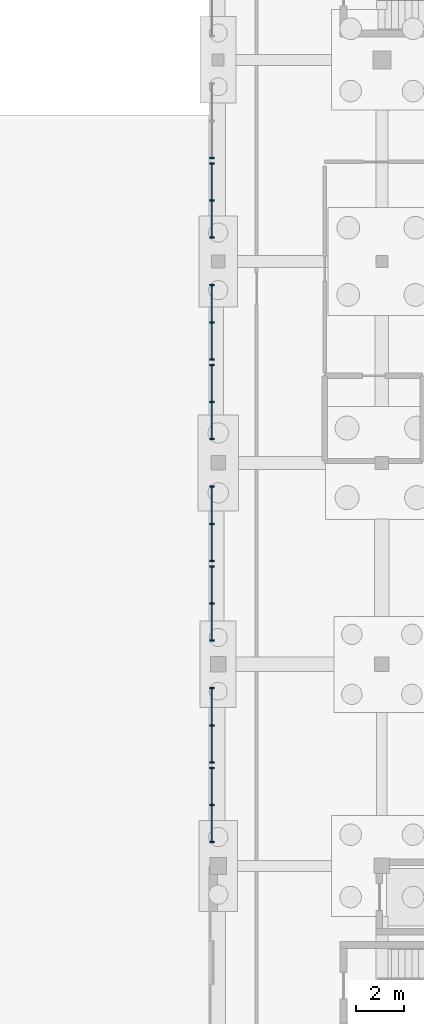
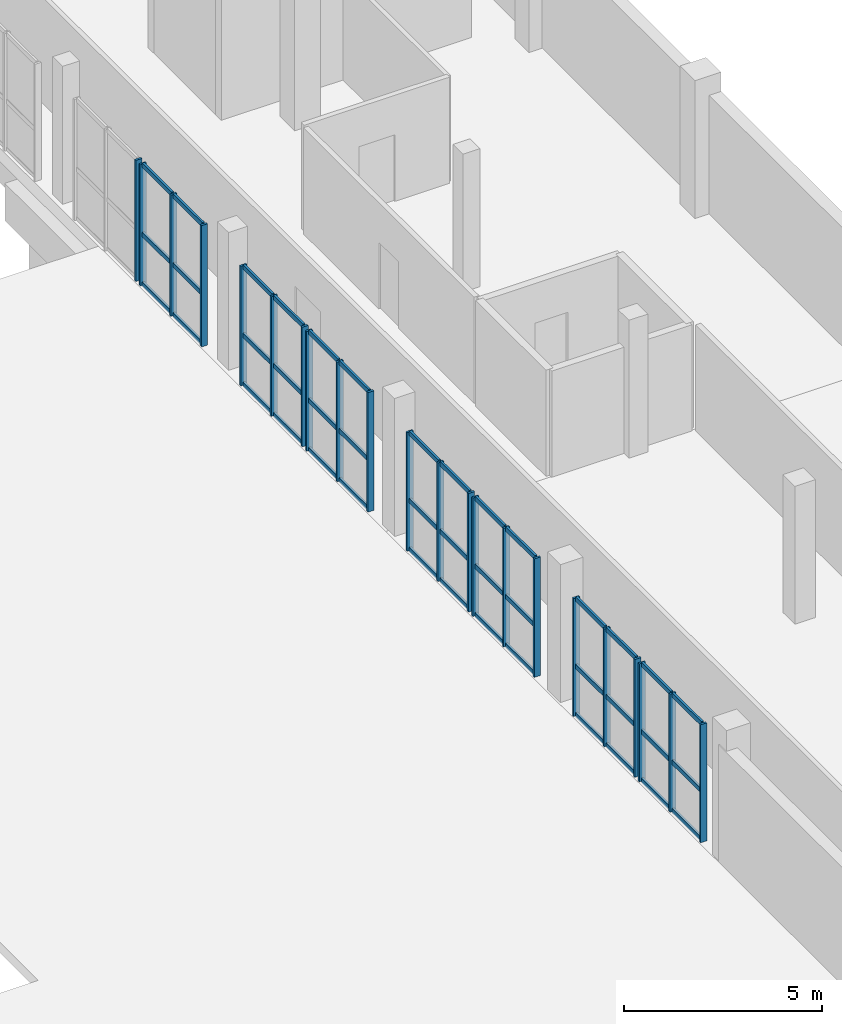
# One storey, part 18 of 41: 64 members, 8 elements without a shape of their own.
"""IFC4 building model written with IfcOpenShell, lengths in metres."""

from ifc_helpers import new_model, si_unit, direction, frame, origin, origin_2d, place, context, subcontext, project, spatial, rectangle, extrude, material, layer, layer_set, material_profile, profile_set, type_object, element, aggregate, save


model = new_model("IFC4")

# Units and contexts
model_context = context("Model", 3, precision=1e-05, world=origin(), true_north=direction((0.0, 1.0)))
body_context = subcontext(model_context, "Body", "Model", "MODEL_VIEW")
ifc_project = project(units=[si_unit("LENGTHUNIT", "METRE"), si_unit("AREAUNIT", "SQUARE_METRE"), si_unit("VOLUMEUNIT", "CUBIC_METRE"), si_unit("PLANEANGLEUNIT", "RADIAN"), si_unit("MASSUNIT", "GRAM", prefix="KILO")], contexts=[model_context])

# Site, building, storey
site_placement = place(None, origin())
site = spatial("IfcSite", under=ifc_project, at=site_placement, CompositionType="ELEMENT")
building_placement = place(site_placement, origin())
building = spatial("IfcBuilding", under=site, at=building_placement, Name="Vardoun Plaza Health Centre", CompositionType="ELEMENT")
storey_placement = place(building_placement, frame((0.0, 0.0, -4.5)))
storey = spatial("IfcBuildingStorey", under=building, at=storey_placement, Name="B1", CompositionType="ELEMENT", Elevation=-4.5)

# Curtain wall, members
ifc_material_1 = material(Name="Aluminium Alloy EN AW-6063-T6 and Low-E Glass", Category="aluminium")
ifc_layer = layer(ifc_material_1, 0.179931640625)
ifc_layer_set = layer_set([ifc_layer], Name="Aluminium Alloy EN AW-6063-T6 and Low-E Glass")
curtain_wall_type = type_object("IfcCurtainWallType", Name="CW-01", PredefinedType="USERDEFINED", material=ifc_layer_set)
curtain_wall_1_placement = place(storey_placement, origin())
curtain_wall_1 = element("IfcCurtainWall", 1, at=curtain_wall_1_placement, inside=storey, type_object=curtain_wall_type, Name="Curtain Wall CW-V6-181", ObjectType="CONCOURSE_CURTAIN_WALL", PredefinedType="USERDEFINED")
ifc_material_2 = material(Name="Aluminium Alloy EN AW-6063-T6", Category="aluminium")
ifc_material_profile_1 = material_profile(ifc_material_2, rectangle(XDim=0.179931640625, YDim=0.06494140625, at=origin_2d()), Name="CWM 65x180")
ifc_profile_set_1 = profile_set([ifc_material_profile_1], Name="Aluminium Alloy EN AW-6063-T6")
member_type_1 = type_object("IfcMemberType", Name="CW-M2", PredefinedType="MULLION", material=ifc_profile_set_1)
member_1_placement = place(storey_placement, frame((151.02001953125, 45.6923828125, 0.0), z_axis=(0.0, 0.0, 1.0), x_axis=(-1.0, 0.0, 0.0)))
member_1 = element("IfcMember", 2, at=member_1_placement, type_object=member_type_1, Name="CW-V6-181 mullion 1", PredefinedType="MULLION", context=body_context, shape_type="SweptSolid", body=[
    extrude(rectangle(XDim=0.179931640625, YDim=0.06494140625, at=origin_2d()), origin(), (0.0, 0.0, 1.0), 3.635009765625),
])
member_2_placement = place(storey_placement, frame((151.02001953125, 47.239990234375, 0.0), z_axis=(0.0, 0.0, 1.0), x_axis=(-1.0, 0.0, 0.0)))
member_2 = element("IfcMember", 3, at=member_2_placement, type_object=member_type_1, Name="CW-V6-181 mullion 2", PredefinedType="MULLION", context=body_context, shape_type="SweptSolid", body=[
    extrude(rectangle(XDim=0.179931640625, YDim=0.06494140625, at=origin_2d()), origin(), (0.0, 0.0, 1.0), 3.635009765625),
])
member_3_placement = place(storey_placement, frame((151.02001953125, 48.78759765625, 0.0), z_axis=(0.0, 0.0, 1.0), x_axis=(-1.0, 0.0, 0.0)))
member_3 = element("IfcMember", 4, at=member_3_placement, type_object=member_type_1, Name="CW-V6-181 mullion 3", PredefinedType="MULLION", context=body_context, shape_type="SweptSolid", body=[
    extrude(rectangle(XDim=0.179931640625, YDim=0.06494140625, at=origin_2d()), origin(), (0.0, 0.0, 1.0), 3.635009765625),
])

curtain_wall_2_placement = place(storey_placement, origin())
curtain_wall_2 = element("IfcCurtainWall", 5, at=curtain_wall_2_placement, inside=storey, type_object=curtain_wall_type, Name="Curtain Wall CW-V6-182", ObjectType="CONCOURSE_CURTAIN_WALL", PredefinedType="USERDEFINED")
member_4_placement = place(storey_placement, frame((151.02001953125, 49.012451171875, 0.0), z_axis=(0.0, 0.0, 1.0), x_axis=(-1.0, 0.0, 0.0)))
member_4 = element("IfcMember", 6, at=member_4_placement, type_object=member_type_1, Name="CW-V6-182 mullion 1", PredefinedType="MULLION", context=body_context, shape_type="SweptSolid", body=[
    extrude(rectangle(XDim=0.179931640625, YDim=0.06494140625, at=origin_2d()), origin(), (0.0, 0.0, 1.0), 3.635009765625),
])
member_5_placement = place(storey_placement, frame((151.02001953125, 50.56005859375, 0.0), z_axis=(0.0, 0.0, 1.0), x_axis=(-1.0, 0.0, 0.0)))
member_5 = element("IfcMember", 7, at=member_5_placement, type_object=member_type_1, Name="CW-V6-182 mullion 2", PredefinedType="MULLION", context=body_context, shape_type="SweptSolid", body=[
    extrude(rectangle(XDim=0.179931640625, YDim=0.06494140625, at=origin_2d()), origin(), (0.0, 0.0, 1.0), 3.635009765625),
])
member_6_placement = place(storey_placement, frame((151.02001953125, 52.107421875, 0.0), z_axis=(0.0, 0.0, 1.0), x_axis=(-1.0, 0.0, 0.0)))
member_6 = element("IfcMember", 8, at=member_6_placement, type_object=member_type_1, Name="CW-V6-182 mullion 3", PredefinedType="MULLION", context=body_context, shape_type="SweptSolid", body=[
    extrude(rectangle(XDim=0.179931640625, YDim=0.06494140625, at=origin_2d()), origin(), (0.0, 0.0, 1.0), 3.635009765625),
])

curtain_wall_3_placement = place(storey_placement, origin())
curtain_wall_3 = element("IfcCurtainWall", 9, at=curtain_wall_3_placement, inside=storey, type_object=curtain_wall_type, Name="Curtain Wall CW-V6-183", ObjectType="CONCOURSE_CURTAIN_WALL", PredefinedType="USERDEFINED")
member_7_placement = place(storey_placement, frame((151.02001953125, 54.092529296875, 0.0), z_axis=(0.0, 0.0, 1.0), x_axis=(-1.0, 0.0, 0.0)))
member_7 = element("IfcMember", 10, at=member_7_placement, type_object=member_type_1, Name="CW-V6-183 mullion 1", PredefinedType="MULLION", context=body_context, shape_type="SweptSolid", body=[
    extrude(rectangle(XDim=0.179931640625, YDim=0.06494140625, at=origin_2d()), origin(), (0.0, 0.0, 1.0), 3.655029296875),
])
member_8_placement = place(storey_placement, frame((151.02001953125, 55.639892578125, 0.0), z_axis=(0.0, 0.0, 1.0), x_axis=(-1.0, 0.0, 0.0)))
member_8 = element("IfcMember", 11, at=member_8_placement, type_object=member_type_1, Name="CW-V6-183 mullion 2", PredefinedType="MULLION", context=body_context, shape_type="SweptSolid", body=[
    extrude(rectangle(XDim=0.179931640625, YDim=0.06494140625, at=origin_2d()), origin(), (0.0, 0.0, 1.0), 3.655029296875),
])
member_9_placement = place(storey_placement, frame((151.02001953125, 57.1875, 0.0), z_axis=(0.0, 0.0, 1.0), x_axis=(-1.0, 0.0, 0.0)))
member_9 = element("IfcMember", 12, at=member_9_placement, type_object=member_type_1, Name="CW-V6-183 mullion 3", PredefinedType="MULLION", context=body_context, shape_type="SweptSolid", body=[
    extrude(rectangle(XDim=0.179931640625, YDim=0.06494140625, at=origin_2d()), origin(), (0.0, 0.0, 1.0), 3.655029296875),
])

curtain_wall_4_placement = place(storey_placement, origin())
curtain_wall_4 = element("IfcCurtainWall", 13, at=curtain_wall_4_placement, inside=storey, type_object=curtain_wall_type, Name="Curtain Wall CW-V6-184", ObjectType="CONCOURSE_CURTAIN_WALL", PredefinedType="USERDEFINED")
member_10_placement = place(storey_placement, frame((151.02001953125, 57.41259765625, 0.0), z_axis=(0.0, 0.0, 1.0), x_axis=(-1.0, 0.0, 0.0)))
member_10 = element("IfcMember", 14, at=member_10_placement, type_object=member_type_1, Name="CW-V6-184 mullion 1", PredefinedType="MULLION", context=body_context, shape_type="SweptSolid", body=[
    extrude(rectangle(XDim=0.179931640625, YDim=0.06494140625, at=origin_2d()), origin(), (0.0, 0.0, 1.0), 3.655029296875),
])
member_11_placement = place(storey_placement, frame((151.02001953125, 58.9599609375, 0.0), z_axis=(0.0, 0.0, 1.0), x_axis=(-1.0, 0.0, 0.0)))
member_11 = element("IfcMember", 15, at=member_11_placement, type_object=member_type_1, Name="CW-V6-184 mullion 2", PredefinedType="MULLION", context=body_context, shape_type="SweptSolid", body=[
    extrude(rectangle(XDim=0.179931640625, YDim=0.06494140625, at=origin_2d()), origin(), (0.0, 0.0, 1.0), 3.655029296875),
])
member_12_placement = place(storey_placement, frame((151.02001953125, 60.507568359375, 0.0), z_axis=(0.0, 0.0, 1.0), x_axis=(-1.0, 0.0, 0.0)))
member_12 = element("IfcMember", 16, at=member_12_placement, type_object=member_type_1, Name="CW-V6-184 mullion 3", PredefinedType="MULLION", context=body_context, shape_type="SweptSolid", body=[
    extrude(rectangle(XDim=0.179931640625, YDim=0.06494140625, at=origin_2d()), origin(), (0.0, 0.0, 1.0), 3.655029296875),
])

curtain_wall_5_placement = place(storey_placement, origin())
curtain_wall_5 = element("IfcCurtainWall", 17, at=curtain_wall_5_placement, inside=storey, type_object=curtain_wall_type, Name="Curtain Wall CW-V6-185", ObjectType="CONCOURSE_CURTAIN_WALL", PredefinedType="USERDEFINED")
member_13_placement = place(storey_placement, frame((151.02001953125, 62.492431640625, 0.0), z_axis=(0.0, 0.0, 1.0), x_axis=(-1.0, 0.0, 0.0)))
member_13 = element("IfcMember", 18, at=member_13_placement, type_object=member_type_1, Name="CW-V6-185 mullion 1", PredefinedType="MULLION", context=body_context, shape_type="SweptSolid", body=[
    extrude(rectangle(XDim=0.179931640625, YDim=0.06494140625, at=origin_2d()), origin(), (0.0, 0.0, 1.0), 3.68505859375),
])
member_14_placement = place(storey_placement, frame((151.02001953125, 64.0400390625, 0.0), z_axis=(0.0, 0.0, 1.0), x_axis=(-1.0, 0.0, 0.0)))
member_14 = element("IfcMember", 19, at=member_14_placement, type_object=member_type_1, Name="CW-V6-185 mullion 2", PredefinedType="MULLION", context=body_context, shape_type="SweptSolid", body=[
    extrude(rectangle(XDim=0.179931640625, YDim=0.06494140625, at=origin_2d()), origin(), (0.0, 0.0, 1.0), 3.68505859375),
])
member_15_placement = place(storey_placement, frame((151.02001953125, 65.587646484375, 0.0), z_axis=(0.0, 0.0, 1.0), x_axis=(-1.0, 0.0, 0.0)))
member_15 = element("IfcMember", 20, at=member_15_placement, type_object=member_type_1, Name="CW-V6-185 mullion 3", PredefinedType="MULLION", context=body_context, shape_type="SweptSolid", body=[
    extrude(rectangle(XDim=0.179931640625, YDim=0.06494140625, at=origin_2d()), origin(), (0.0, 0.0, 1.0), 3.68505859375),
])

curtain_wall_6_placement = place(storey_placement, origin())
curtain_wall_6 = element("IfcCurtainWall", 21, at=curtain_wall_6_placement, inside=storey, type_object=curtain_wall_type, Name="Curtain Wall CW-V6-186", ObjectType="CONCOURSE_CURTAIN_WALL", PredefinedType="USERDEFINED")
member_16_placement = place(storey_placement, frame((151.02001953125, 65.8125, 0.0), z_axis=(0.0, 0.0, 1.0), x_axis=(-1.0, 0.0, 0.0)))
member_16 = element("IfcMember", 22, at=member_16_placement, type_object=member_type_1, Name="CW-V6-186 mullion 1", PredefinedType="MULLION", context=body_context, shape_type="SweptSolid", body=[
    extrude(rectangle(XDim=0.179931640625, YDim=0.06494140625, at=origin_2d()), origin(), (0.0, 0.0, 1.0), 3.68505859375),
])
member_17_placement = place(storey_placement, frame((151.02001953125, 67.360107421875, 0.0), z_axis=(0.0, 0.0, 1.0), x_axis=(-1.0, 0.0, 0.0)))
member_17 = element("IfcMember", 23, at=member_17_placement, type_object=member_type_1, Name="CW-V6-186 mullion 2", PredefinedType="MULLION", context=body_context, shape_type="SweptSolid", body=[
    extrude(rectangle(XDim=0.179931640625, YDim=0.06494140625, at=origin_2d()), origin(), (0.0, 0.0, 1.0), 3.68505859375),
])
member_18_placement = place(storey_placement, frame((151.02001953125, 68.907470703125, 0.0), z_axis=(0.0, 0.0, 1.0), x_axis=(-1.0, 0.0, 0.0)))
member_18 = element("IfcMember", 24, at=member_18_placement, type_object=member_type_1, Name="CW-V6-186 mullion 3", PredefinedType="MULLION", context=body_context, shape_type="SweptSolid", body=[
    extrude(rectangle(XDim=0.179931640625, YDim=0.06494140625, at=origin_2d()), origin(), (0.0, 0.0, 1.0), 3.68505859375),
])

curtain_wall_7_placement = place(storey_placement, origin())
curtain_wall_7 = element("IfcCurtainWall", 25, at=curtain_wall_7_placement, inside=storey, type_object=curtain_wall_type, Name="Curtain Wall CW-V6-187", ObjectType="CONCOURSE_CURTAIN_WALL", PredefinedType="USERDEFINED")
member_19_placement = place(storey_placement, frame((151.02001953125, 70.892578125, 0.0), z_axis=(0.0, 0.0, 1.0), x_axis=(-1.0, 0.0, 0.0)))
member_19 = element("IfcMember", 26, at=member_19_placement, type_object=member_type_1, Name="CW-V6-187 mullion 1", PredefinedType="MULLION", context=body_context, shape_type="SweptSolid", body=[
    extrude(rectangle(XDim=0.179931640625, YDim=0.06494140625, at=origin_2d()), origin(), (0.0, 0.0, 1.0), 3.735107421875),
])
member_20_placement = place(storey_placement, frame((151.02001953125, 72.440185546875, 0.0), z_axis=(0.0, 0.0, 1.0), x_axis=(-1.0, 0.0, 0.0)))
member_20 = element("IfcMember", 27, at=member_20_placement, type_object=member_type_1, Name="CW-V6-187 mullion 2", PredefinedType="MULLION", context=body_context, shape_type="SweptSolid", body=[
    extrude(rectangle(XDim=0.179931640625, YDim=0.06494140625, at=origin_2d()), origin(), (0.0, 0.0, 1.0), 3.735107421875),
])
member_21_placement = place(storey_placement, frame((151.02001953125, 73.987548828125, 0.0), z_axis=(0.0, 0.0, 1.0), x_axis=(-1.0, 0.0, 0.0)))
member_21 = element("IfcMember", 28, at=member_21_placement, type_object=member_type_1, Name="CW-V6-187 mullion 3", PredefinedType="MULLION", context=body_context, shape_type="SweptSolid", body=[
    extrude(rectangle(XDim=0.179931640625, YDim=0.06494140625, at=origin_2d()), origin(), (0.0, 0.0, 1.0), 3.735107421875),
])

# Curtain wall, member
curtain_wall_8_placement = place(storey_placement, origin())
curtain_wall_8 = element("IfcCurtainWall", 29, at=curtain_wall_8_placement, inside=storey, type_object=curtain_wall_type, Name="Curtain Wall CW-V6-188", ObjectType="CONCOURSE_CURTAIN_WALL", PredefinedType="USERDEFINED")
member_22_placement = place(storey_placement, frame((151.02001953125, 74.212646484375, 0.0), z_axis=(0.0, 0.0, 1.0), x_axis=(-1.0, 0.0, 0.0)))
member_22 = element("IfcMember", 30, at=member_22_placement, type_object=member_type_1, Name="CW-V6-188 mullion 1", PredefinedType="MULLION", context=body_context, shape_type="SweptSolid", body=[
    extrude(rectangle(XDim=0.179931640625, YDim=0.06494140625, at=origin_2d()), origin(), (0.0, 0.0, 1.0), 3.735107421875),
])
aggregate(curtain_wall_8, [member_22])

# Member
ifc_material_3 = material(Name="Aluminium Alloy EN AW-6063-T6", Category="aluminium")
ifc_material_profile_2 = material_profile(ifc_material_3, rectangle(XDim=0.06494140625, YDim=0.139892578125, at=origin_2d()), Name="CWT 65x140")
ifc_profile_set_2 = profile_set([ifc_material_profile_2], Name="Aluminium Alloy EN AW-6063-T6")
member_type_2 = type_object("IfcMemberType", Name="CW-T2", PredefinedType="USERDEFINED", material=ifc_profile_set_2)
member_23_placement = place(storey_placement, frame((151.02001953125, 45.72509765625, 0.032470703125), z_axis=(0.0, 1.0, 0.0), x_axis=(-1.0, 0.0, 0.0)))
member_23 = element("IfcMember", 31, at=member_23_placement, type_object=member_type_2, Name="CW-V6-181 transom 1.1", ObjectType="TRANSOM", PredefinedType="USERDEFINED", context=body_context, shape_type="SweptSolid", body=[
    extrude(rectangle(XDim=0.06494140625, YDim=0.139892578125, at=origin_2d()), origin(), (0.0, 0.0, 1.0), 1.482421875),
])

member_24_placement = place(storey_placement, frame((151.02001953125, 45.72509765625, 1.526611328125), z_axis=(0.0, 1.0, 0.0), x_axis=(-1.0, 0.0, 0.0)))
member_24 = element("IfcMember", 32, at=member_24_placement, type_object=member_type_2, Name="CW-V6-181 transom 1.2", ObjectType="TRANSOM", PredefinedType="USERDEFINED", context=body_context, shape_type="SweptSolid", body=[
    extrude(rectangle(XDim=0.06494140625, YDim=0.139892578125, at=origin_2d()), origin(), (0.0, 0.0, 1.0), 1.482421875),
])

member_25_placement = place(storey_placement, frame((151.02001953125, 45.72509765625, 3.6025390625), z_axis=(0.0, 1.0, 0.0), x_axis=(-1.0, 0.0, 0.0)))
member_25 = element("IfcMember", 33, at=member_25_placement, type_object=member_type_2, Name="CW-V6-181 transom 1.3", ObjectType="TRANSOM", PredefinedType="USERDEFINED", context=body_context, shape_type="SweptSolid", body=[
    extrude(rectangle(XDim=0.06494140625, YDim=0.139892578125, at=origin_2d()), origin(), (0.0, 0.0, 1.0), 1.482421875),
])

member_26_placement = place(storey_placement, frame((151.02001953125, 47.2724609375, 0.032470703125), z_axis=(0.0, 1.0, 0.0), x_axis=(-1.0, 0.0, 0.0)))
member_26 = element("IfcMember", 34, at=member_26_placement, type_object=member_type_2, Name="CW-V6-181 transom 2.1", ObjectType="TRANSOM", PredefinedType="USERDEFINED", context=body_context, shape_type="SweptSolid", body=[
    extrude(rectangle(XDim=0.06494140625, YDim=0.139892578125, at=origin_2d()), origin(), (0.0, 0.0, 1.0), 1.482421875),
])

member_27_placement = place(storey_placement, frame((151.02001953125, 47.2724609375, 1.526611328125), z_axis=(0.0, 1.0, 0.0), x_axis=(-1.0, 0.0, 0.0)))
member_27 = element("IfcMember", 35, at=member_27_placement, type_object=member_type_2, Name="CW-V6-181 transom 2.2", ObjectType="TRANSOM", PredefinedType="USERDEFINED", context=body_context, shape_type="SweptSolid", body=[
    extrude(rectangle(XDim=0.06494140625, YDim=0.139892578125, at=origin_2d()), origin(), (0.0, 0.0, 1.0), 1.482421875),
])

member_28_placement = place(storey_placement, frame((151.02001953125, 47.2724609375, 3.6025390625), z_axis=(0.0, 1.0, 0.0), x_axis=(-1.0, 0.0, 0.0)))
member_28 = element("IfcMember", 36, at=member_28_placement, type_object=member_type_2, Name="CW-V6-181 transom 2.3", ObjectType="TRANSOM", PredefinedType="USERDEFINED", context=body_context, shape_type="SweptSolid", body=[
    extrude(rectangle(XDim=0.06494140625, YDim=0.139892578125, at=origin_2d()), origin(), (0.0, 0.0, 1.0), 1.482421875),
])

aggregate(curtain_wall_1, [member_1, member_2, member_3, member_23, member_24, member_25, member_26, member_27, member_28])

member_29_placement = place(storey_placement, frame((151.02001953125, 49.044921875, 0.032470703125), z_axis=(0.0, 1.0, 0.0), x_axis=(-1.0, 0.0, 0.0)))
member_29 = element("IfcMember", 37, at=member_29_placement, type_object=member_type_2, Name="CW-V6-182 transom 1.1", ObjectType="TRANSOM", PredefinedType="USERDEFINED", context=body_context, shape_type="SweptSolid", body=[
    extrude(rectangle(XDim=0.06494140625, YDim=0.139892578125, at=origin_2d()), origin(), (0.0, 0.0, 1.0), 1.482666015625),
])

member_30_placement = place(storey_placement, frame((151.02001953125, 49.044921875, 1.526611328125), z_axis=(0.0, 1.0, 0.0), x_axis=(-1.0, 0.0, 0.0)))
member_30 = element("IfcMember", 38, at=member_30_placement, type_object=member_type_2, Name="CW-V6-182 transom 1.2", ObjectType="TRANSOM", PredefinedType="USERDEFINED", context=body_context, shape_type="SweptSolid", body=[
    extrude(rectangle(XDim=0.06494140625, YDim=0.139892578125, at=origin_2d()), origin(), (0.0, 0.0, 1.0), 1.482666015625),
])

member_31_placement = place(storey_placement, frame((151.02001953125, 49.044921875, 3.6025390625), z_axis=(0.0, 1.0, 0.0), x_axis=(-1.0, 0.0, 0.0)))
member_31 = element("IfcMember", 39, at=member_31_placement, type_object=member_type_2, Name="CW-V6-182 transom 1.3", ObjectType="TRANSOM", PredefinedType="USERDEFINED", context=body_context, shape_type="SweptSolid", body=[
    extrude(rectangle(XDim=0.06494140625, YDim=0.139892578125, at=origin_2d()), origin(), (0.0, 0.0, 1.0), 1.482666015625),
])

member_32_placement = place(storey_placement, frame((151.02001953125, 50.592529296875, 0.032470703125), z_axis=(0.0, 1.0, 0.0), x_axis=(-1.0, 0.0, 0.0)))
member_32 = element("IfcMember", 40, at=member_32_placement, type_object=member_type_2, Name="CW-V6-182 transom 2.1", ObjectType="TRANSOM", PredefinedType="USERDEFINED", context=body_context, shape_type="SweptSolid", body=[
    extrude(rectangle(XDim=0.06494140625, YDim=0.139892578125, at=origin_2d()), origin(), (0.0, 0.0, 1.0), 1.482421875),
])

member_33_placement = place(storey_placement, frame((151.02001953125, 50.592529296875, 1.526611328125), z_axis=(0.0, 1.0, 0.0), x_axis=(-1.0, 0.0, 0.0)))
member_33 = element("IfcMember", 41, at=member_33_placement, type_object=member_type_2, Name="CW-V6-182 transom 2.2", ObjectType="TRANSOM", PredefinedType="USERDEFINED", context=body_context, shape_type="SweptSolid", body=[
    extrude(rectangle(XDim=0.06494140625, YDim=0.139892578125, at=origin_2d()), origin(), (0.0, 0.0, 1.0), 1.482421875),
])

member_34_placement = place(storey_placement, frame((151.02001953125, 50.592529296875, 3.6025390625), z_axis=(0.0, 1.0, 0.0), x_axis=(-1.0, 0.0, 0.0)))
member_34 = element("IfcMember", 42, at=member_34_placement, type_object=member_type_2, Name="CW-V6-182 transom 2.3", ObjectType="TRANSOM", PredefinedType="USERDEFINED", context=body_context, shape_type="SweptSolid", body=[
    extrude(rectangle(XDim=0.06494140625, YDim=0.139892578125, at=origin_2d()), origin(), (0.0, 0.0, 1.0), 1.482421875),
])

aggregate(curtain_wall_2, [member_4, member_5, member_6, member_29, member_30, member_31, member_32, member_33, member_34])

member_35_placement = place(storey_placement, frame((151.02001953125, 54.125, 0.032470703125), z_axis=(0.0, 1.0, 0.0), x_axis=(-1.0, 0.0, 0.0)))
member_35 = element("IfcMember", 43, at=member_35_placement, type_object=member_type_2, Name="CW-V6-183 transom 1.1", ObjectType="TRANSOM", PredefinedType="USERDEFINED", context=body_context, shape_type="SweptSolid", body=[
    extrude(rectangle(XDim=0.06494140625, YDim=0.139892578125, at=origin_2d()), origin(), (0.0, 0.0, 1.0), 1.482421875),
])

member_36_placement = place(storey_placement, frame((151.02001953125, 54.125, 1.53515625), z_axis=(0.0, 1.0, 0.0), x_axis=(-1.0, 0.0, 0.0)))
member_36 = element("IfcMember", 44, at=member_36_placement, type_object=member_type_2, Name="CW-V6-183 transom 1.2", ObjectType="TRANSOM", PredefinedType="USERDEFINED", context=body_context, shape_type="SweptSolid", body=[
    extrude(rectangle(XDim=0.06494140625, YDim=0.139892578125, at=origin_2d()), origin(), (0.0, 0.0, 1.0), 1.482421875),
])

member_37_placement = place(storey_placement, frame((151.02001953125, 54.125, 3.62255859375), z_axis=(0.0, 1.0, 0.0), x_axis=(-1.0, 0.0, 0.0)))
member_37 = element("IfcMember", 45, at=member_37_placement, type_object=member_type_2, Name="CW-V6-183 transom 1.3", ObjectType="TRANSOM", PredefinedType="USERDEFINED", context=body_context, shape_type="SweptSolid", body=[
    extrude(rectangle(XDim=0.06494140625, YDim=0.139892578125, at=origin_2d()), origin(), (0.0, 0.0, 1.0), 1.482421875),
])

member_38_placement = place(storey_placement, frame((151.02001953125, 55.672607421875, 0.032470703125), z_axis=(0.0, 1.0, 0.0), x_axis=(-1.0, 0.0, 0.0)))
member_38 = element("IfcMember", 46, at=member_38_placement, type_object=member_type_2, Name="CW-V6-183 transom 2.1", ObjectType="TRANSOM", PredefinedType="USERDEFINED", context=body_context, shape_type="SweptSolid", body=[
    extrude(rectangle(XDim=0.06494140625, YDim=0.139892578125, at=origin_2d()), origin(), (0.0, 0.0, 1.0), 1.482421875),
])

member_39_placement = place(storey_placement, frame((151.02001953125, 55.672607421875, 1.53515625), z_axis=(0.0, 1.0, 0.0), x_axis=(-1.0, 0.0, 0.0)))
member_39 = element("IfcMember", 47, at=member_39_placement, type_object=member_type_2, Name="CW-V6-183 transom 2.2", ObjectType="TRANSOM", PredefinedType="USERDEFINED", context=body_context, shape_type="SweptSolid", body=[
    extrude(rectangle(XDim=0.06494140625, YDim=0.139892578125, at=origin_2d()), origin(), (0.0, 0.0, 1.0), 1.482421875),
])

member_40_placement = place(storey_placement, frame((151.02001953125, 55.672607421875, 3.62255859375), z_axis=(0.0, 1.0, 0.0), x_axis=(-1.0, 0.0, 0.0)))
member_40 = element("IfcMember", 48, at=member_40_placement, type_object=member_type_2, Name="CW-V6-183 transom 2.3", ObjectType="TRANSOM", PredefinedType="USERDEFINED", context=body_context, shape_type="SweptSolid", body=[
    extrude(rectangle(XDim=0.06494140625, YDim=0.139892578125, at=origin_2d()), origin(), (0.0, 0.0, 1.0), 1.482421875),
])

aggregate(curtain_wall_3, [member_7, member_8, member_9, member_35, member_36, member_37, member_38, member_39, member_40])

member_41_placement = place(storey_placement, frame((151.02001953125, 57.445068359375, 0.032470703125), z_axis=(0.0, 1.0, 0.0), x_axis=(-1.0, 0.0, 0.0)))
member_41 = element("IfcMember", 49, at=member_41_placement, type_object=member_type_2, Name="CW-V6-184 transom 1.1", ObjectType="TRANSOM", PredefinedType="USERDEFINED", context=body_context, shape_type="SweptSolid", body=[
    extrude(rectangle(XDim=0.06494140625, YDim=0.139892578125, at=origin_2d()), origin(), (0.0, 0.0, 1.0), 1.482421875),
])

member_42_placement = place(storey_placement, frame((151.02001953125, 57.445068359375, 1.53515625), z_axis=(0.0, 1.0, 0.0), x_axis=(-1.0, 0.0, 0.0)))
member_42 = element("IfcMember", 50, at=member_42_placement, type_object=member_type_2, Name="CW-V6-184 transom 1.2", ObjectType="TRANSOM", PredefinedType="USERDEFINED", context=body_context, shape_type="SweptSolid", body=[
    extrude(rectangle(XDim=0.06494140625, YDim=0.139892578125, at=origin_2d()), origin(), (0.0, 0.0, 1.0), 1.482421875),
])

member_43_placement = place(storey_placement, frame((151.02001953125, 57.445068359375, 3.62255859375), z_axis=(0.0, 1.0, 0.0), x_axis=(-1.0, 0.0, 0.0)))
member_43 = element("IfcMember", 51, at=member_43_placement, type_object=member_type_2, Name="CW-V6-184 transom 1.3", ObjectType="TRANSOM", PredefinedType="USERDEFINED", context=body_context, shape_type="SweptSolid", body=[
    extrude(rectangle(XDim=0.06494140625, YDim=0.139892578125, at=origin_2d()), origin(), (0.0, 0.0, 1.0), 1.482421875),
])

member_44_placement = place(storey_placement, frame((151.02001953125, 58.992431640625, 0.032470703125), z_axis=(0.0, 1.0, 0.0), x_axis=(-1.0, 0.0, 0.0)))
member_44 = element("IfcMember", 52, at=member_44_placement, type_object=member_type_2, Name="CW-V6-184 transom 2.1", ObjectType="TRANSOM", PredefinedType="USERDEFINED", context=body_context, shape_type="SweptSolid", body=[
    extrude(rectangle(XDim=0.06494140625, YDim=0.139892578125, at=origin_2d()), origin(), (0.0, 0.0, 1.0), 1.482666015625),
])

member_45_placement = place(storey_placement, frame((151.02001953125, 58.992431640625, 1.53515625), z_axis=(0.0, 1.0, 0.0), x_axis=(-1.0, 0.0, 0.0)))
member_45 = element("IfcMember", 53, at=member_45_placement, type_object=member_type_2, Name="CW-V6-184 transom 2.2", ObjectType="TRANSOM", PredefinedType="USERDEFINED", context=body_context, shape_type="SweptSolid", body=[
    extrude(rectangle(XDim=0.06494140625, YDim=0.139892578125, at=origin_2d()), origin(), (0.0, 0.0, 1.0), 1.482666015625),
])

member_46_placement = place(storey_placement, frame((151.02001953125, 58.992431640625, 3.62255859375), z_axis=(0.0, 1.0, 0.0), x_axis=(-1.0, 0.0, 0.0)))
member_46 = element("IfcMember", 54, at=member_46_placement, type_object=member_type_2, Name="CW-V6-184 transom 2.3", ObjectType="TRANSOM", PredefinedType="USERDEFINED", context=body_context, shape_type="SweptSolid", body=[
    extrude(rectangle(XDim=0.06494140625, YDim=0.139892578125, at=origin_2d()), origin(), (0.0, 0.0, 1.0), 1.482666015625),
])

aggregate(curtain_wall_4, [member_10, member_11, member_12, member_41, member_42, member_43, member_44, member_45, member_46])

member_47_placement = place(storey_placement, frame((151.02001953125, 62.525146484375, 0.032470703125), z_axis=(0.0, 1.0, 0.0), x_axis=(-1.0, 0.0, 0.0)))
member_47 = element("IfcMember", 55, at=member_47_placement, type_object=member_type_2, Name="CW-V6-185 transom 1.1", ObjectType="TRANSOM", PredefinedType="USERDEFINED", context=body_context, shape_type="SweptSolid", body=[
    extrude(rectangle(XDim=0.06494140625, YDim=0.139892578125, at=origin_2d()), origin(), (0.0, 0.0, 1.0), 1.482421875),
])

member_48_placement = place(storey_placement, frame((151.02001953125, 62.525146484375, 1.547607421875), z_axis=(0.0, 1.0, 0.0), x_axis=(-1.0, 0.0, 0.0)))
member_48 = element("IfcMember", 56, at=member_48_placement, type_object=member_type_2, Name="CW-V6-185 transom 1.2", ObjectType="TRANSOM", PredefinedType="USERDEFINED", context=body_context, shape_type="SweptSolid", body=[
    extrude(rectangle(XDim=0.06494140625, YDim=0.139892578125, at=origin_2d()), origin(), (0.0, 0.0, 1.0), 1.482421875),
])

member_49_placement = place(storey_placement, frame((151.02001953125, 62.525146484375, 3.652587890625), z_axis=(0.0, 1.0, 0.0), x_axis=(-1.0, 0.0, 0.0)))
member_49 = element("IfcMember", 57, at=member_49_placement, type_object=member_type_2, Name="CW-V6-185 transom 1.3", ObjectType="TRANSOM", PredefinedType="USERDEFINED", context=body_context, shape_type="SweptSolid", body=[
    extrude(rectangle(XDim=0.06494140625, YDim=0.139892578125, at=origin_2d()), origin(), (0.0, 0.0, 1.0), 1.482421875),
])

member_50_placement = place(storey_placement, frame((151.02001953125, 64.072509765625, 0.032470703125), z_axis=(0.0, 1.0, 0.0), x_axis=(-1.0, 0.0, 0.0)))
member_50 = element("IfcMember", 58, at=member_50_placement, type_object=member_type_2, Name="CW-V6-185 transom 2.1", ObjectType="TRANSOM", PredefinedType="USERDEFINED", context=body_context, shape_type="SweptSolid", body=[
    extrude(rectangle(XDim=0.06494140625, YDim=0.139892578125, at=origin_2d()), origin(), (0.0, 0.0, 1.0), 1.482421875),
])

member_51_placement = place(storey_placement, frame((151.02001953125, 64.072509765625, 1.547607421875), z_axis=(0.0, 1.0, 0.0), x_axis=(-1.0, 0.0, 0.0)))
member_51 = element("IfcMember", 59, at=member_51_placement, type_object=member_type_2, Name="CW-V6-185 transom 2.2", ObjectType="TRANSOM", PredefinedType="USERDEFINED", context=body_context, shape_type="SweptSolid", body=[
    extrude(rectangle(XDim=0.06494140625, YDim=0.139892578125, at=origin_2d()), origin(), (0.0, 0.0, 1.0), 1.482421875),
])

member_52_placement = place(storey_placement, frame((151.02001953125, 64.072509765625, 3.652587890625), z_axis=(0.0, 1.0, 0.0), x_axis=(-1.0, 0.0, 0.0)))
member_52 = element("IfcMember", 60, at=member_52_placement, type_object=member_type_2, Name="CW-V6-185 transom 2.3", ObjectType="TRANSOM", PredefinedType="USERDEFINED", context=body_context, shape_type="SweptSolid", body=[
    extrude(rectangle(XDim=0.06494140625, YDim=0.139892578125, at=origin_2d()), origin(), (0.0, 0.0, 1.0), 1.482421875),
])

aggregate(curtain_wall_5, [member_13, member_14, member_15, member_47, member_48, member_49, member_50, member_51, member_52])

member_53_placement = place(storey_placement, frame((151.02001953125, 65.844970703125, 0.032470703125), z_axis=(0.0, 1.0, 0.0), x_axis=(-1.0, 0.0, 0.0)))
member_53 = element("IfcMember", 61, at=member_53_placement, type_object=member_type_2, Name="CW-V6-186 transom 1.1", ObjectType="TRANSOM", PredefinedType="USERDEFINED", context=body_context, shape_type="SweptSolid", body=[
    extrude(rectangle(XDim=0.06494140625, YDim=0.139892578125, at=origin_2d()), origin(), (0.0, 0.0, 1.0), 1.482421875),
])

member_54_placement = place(storey_placement, frame((151.02001953125, 65.844970703125, 1.547607421875), z_axis=(0.0, 1.0, 0.0), x_axis=(-1.0, 0.0, 0.0)))
member_54 = element("IfcMember", 62, at=member_54_placement, type_object=member_type_2, Name="CW-V6-186 transom 1.2", ObjectType="TRANSOM", PredefinedType="USERDEFINED", context=body_context, shape_type="SweptSolid", body=[
    extrude(rectangle(XDim=0.06494140625, YDim=0.139892578125, at=origin_2d()), origin(), (0.0, 0.0, 1.0), 1.482421875),
])

member_55_placement = place(storey_placement, frame((151.02001953125, 65.844970703125, 3.652587890625), z_axis=(0.0, 1.0, 0.0), x_axis=(-1.0, 0.0, 0.0)))
member_55 = element("IfcMember", 63, at=member_55_placement, type_object=member_type_2, Name="CW-V6-186 transom 1.3", ObjectType="TRANSOM", PredefinedType="USERDEFINED", context=body_context, shape_type="SweptSolid", body=[
    extrude(rectangle(XDim=0.06494140625, YDim=0.139892578125, at=origin_2d()), origin(), (0.0, 0.0, 1.0), 1.482421875),
])

member_56_placement = place(storey_placement, frame((151.02001953125, 67.392578125, 0.032470703125), z_axis=(0.0, 1.0, 0.0), x_axis=(-1.0, 0.0, 0.0)))
member_56 = element("IfcMember", 64, at=member_56_placement, type_object=member_type_2, Name="CW-V6-186 transom 2.1", ObjectType="TRANSOM", PredefinedType="USERDEFINED", context=body_context, shape_type="SweptSolid", body=[
    extrude(rectangle(XDim=0.06494140625, YDim=0.139892578125, at=origin_2d()), origin(), (0.0, 0.0, 1.0), 1.482421875),
])

member_57_placement = place(storey_placement, frame((151.02001953125, 67.392578125, 1.547607421875), z_axis=(0.0, 1.0, 0.0), x_axis=(-1.0, 0.0, 0.0)))
member_57 = element("IfcMember", 65, at=member_57_placement, type_object=member_type_2, Name="CW-V6-186 transom 2.2", ObjectType="TRANSOM", PredefinedType="USERDEFINED", context=body_context, shape_type="SweptSolid", body=[
    extrude(rectangle(XDim=0.06494140625, YDim=0.139892578125, at=origin_2d()), origin(), (0.0, 0.0, 1.0), 1.482421875),
])

member_58_placement = place(storey_placement, frame((151.02001953125, 67.392578125, 3.652587890625), z_axis=(0.0, 1.0, 0.0), x_axis=(-1.0, 0.0, 0.0)))
member_58 = element("IfcMember", 66, at=member_58_placement, type_object=member_type_2, Name="CW-V6-186 transom 2.3", ObjectType="TRANSOM", PredefinedType="USERDEFINED", context=body_context, shape_type="SweptSolid", body=[
    extrude(rectangle(XDim=0.06494140625, YDim=0.139892578125, at=origin_2d()), origin(), (0.0, 0.0, 1.0), 1.482421875),
])

aggregate(curtain_wall_6, [member_16, member_17, member_18, member_53, member_54, member_55, member_56, member_57, member_58])

member_59_placement = place(storey_placement, frame((151.02001953125, 70.925048828125, 0.032470703125), z_axis=(0.0, 1.0, 0.0), x_axis=(-1.0, 0.0, 0.0)))
member_59 = element("IfcMember", 67, at=member_59_placement, type_object=member_type_2, Name="CW-V6-187 transom 1.1", ObjectType="TRANSOM", PredefinedType="USERDEFINED", context=body_context, shape_type="SweptSolid", body=[
    extrude(rectangle(XDim=0.06494140625, YDim=0.139892578125, at=origin_2d()), origin(), (0.0, 0.0, 1.0), 1.482421875),
])

member_60_placement = place(storey_placement, frame((151.02001953125, 70.925048828125, 1.568603515625), z_axis=(0.0, 1.0, 0.0), x_axis=(-1.0, 0.0, 0.0)))
member_60 = element("IfcMember", 68, at=member_60_placement, type_object=member_type_2, Name="CW-V6-187 transom 1.2", ObjectType="TRANSOM", PredefinedType="USERDEFINED", context=body_context, shape_type="SweptSolid", body=[
    extrude(rectangle(XDim=0.06494140625, YDim=0.139892578125, at=origin_2d()), origin(), (0.0, 0.0, 1.0), 1.482421875),
])

member_61_placement = place(storey_placement, frame((151.02001953125, 70.925048828125, 3.702392578125), z_axis=(0.0, 1.0, 0.0), x_axis=(-1.0, 0.0, 0.0)))
member_61 = element("IfcMember", 69, at=member_61_placement, type_object=member_type_2, Name="CW-V6-187 transom 1.3", ObjectType="TRANSOM", PredefinedType="USERDEFINED", context=body_context, shape_type="SweptSolid", body=[
    extrude(rectangle(XDim=0.06494140625, YDim=0.139892578125, at=origin_2d()), origin(), (0.0, 0.0, 1.0), 1.482421875),
])

member_62_placement = place(storey_placement, frame((151.02001953125, 72.472412109375, 0.032470703125), z_axis=(0.0, 1.0, 0.0), x_axis=(-1.0, 0.0, 0.0)))
member_62 = element("IfcMember", 70, at=member_62_placement, type_object=member_type_2, Name="CW-V6-187 transom 2.1", ObjectType="TRANSOM", PredefinedType="USERDEFINED", context=body_context, shape_type="SweptSolid", body=[
    extrude(rectangle(XDim=0.06494140625, YDim=0.139892578125, at=origin_2d()), origin(), (0.0, 0.0, 1.0), 1.482666015625),
])

member_63_placement = place(storey_placement, frame((151.02001953125, 72.472412109375, 1.568603515625), z_axis=(0.0, 1.0, 0.0), x_axis=(-1.0, 0.0, 0.0)))
member_63 = element("IfcMember", 71, at=member_63_placement, type_object=member_type_2, Name="CW-V6-187 transom 2.2", ObjectType="TRANSOM", PredefinedType="USERDEFINED", context=body_context, shape_type="SweptSolid", body=[
    extrude(rectangle(XDim=0.06494140625, YDim=0.139892578125, at=origin_2d()), origin(), (0.0, 0.0, 1.0), 1.482666015625),
])

member_64_placement = place(storey_placement, frame((151.02001953125, 72.472412109375, 3.702392578125), z_axis=(0.0, 1.0, 0.0), x_axis=(-1.0, 0.0, 0.0)))
member_64 = element("IfcMember", 72, at=member_64_placement, type_object=member_type_2, Name="CW-V6-187 transom 2.3", ObjectType="TRANSOM", PredefinedType="USERDEFINED", context=body_context, shape_type="SweptSolid", body=[
    extrude(rectangle(XDim=0.06494140625, YDim=0.139892578125, at=origin_2d()), origin(), (0.0, 0.0, 1.0), 1.482666015625),
])

aggregate(curtain_wall_7, [member_19, member_20, member_21, member_59, member_60, member_61, member_62, member_63, member_64])

save(model, "model.ifc")
